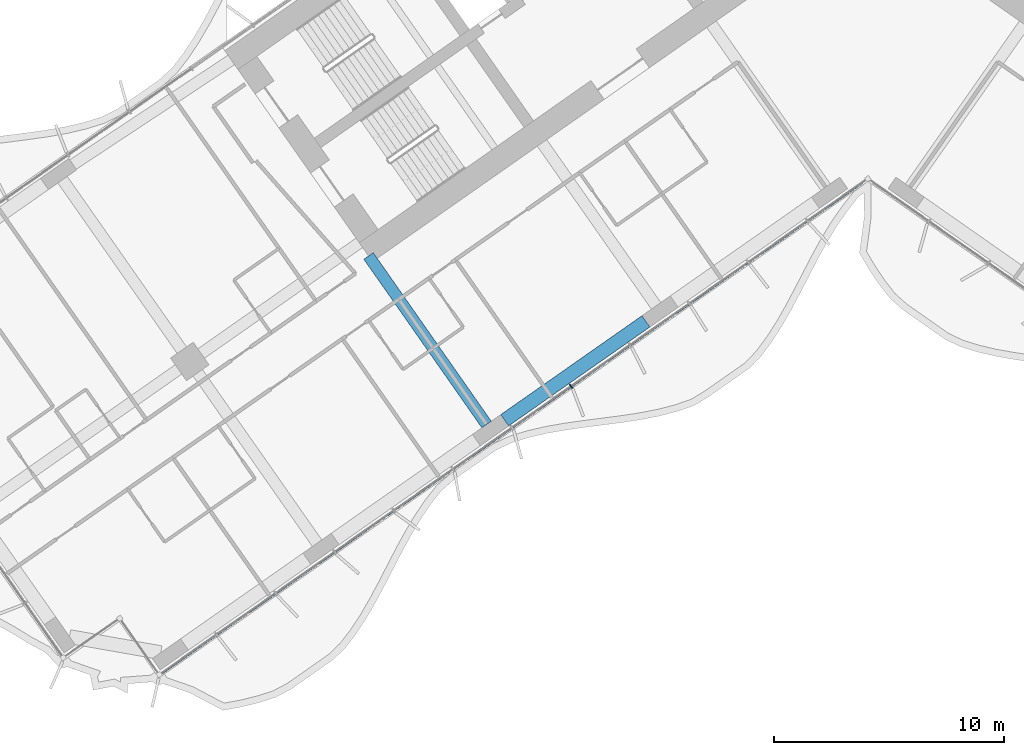
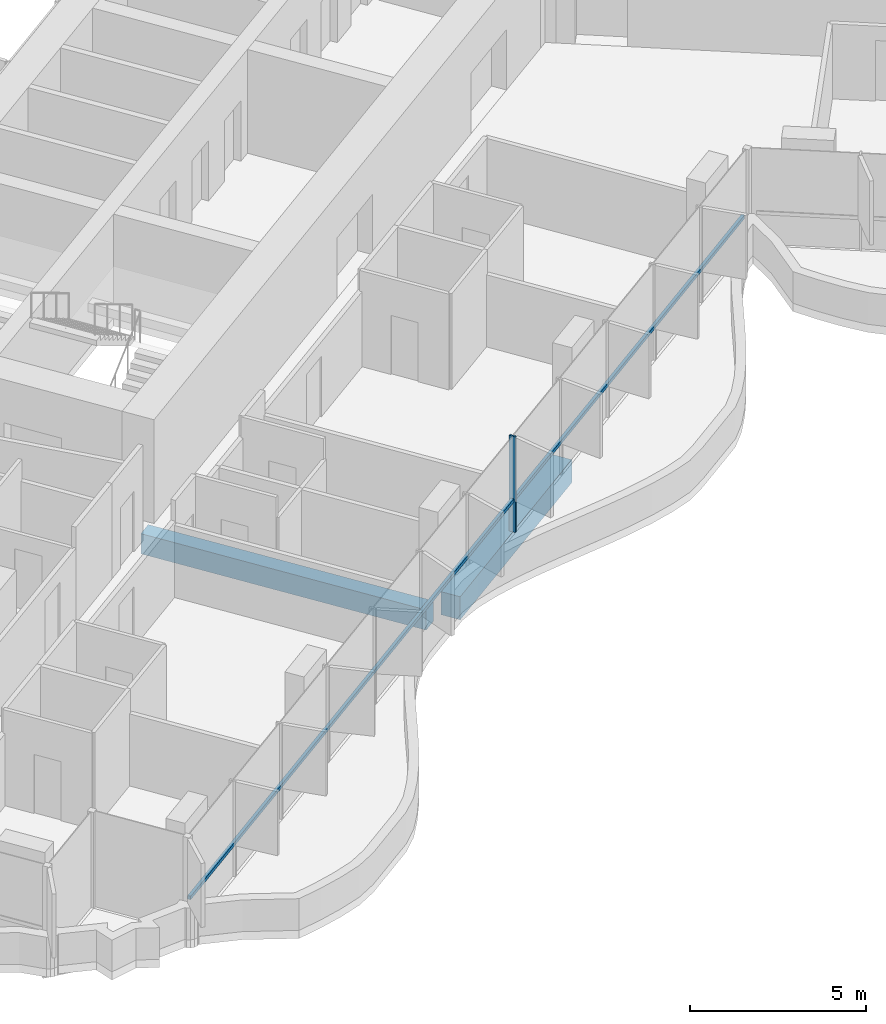
# One storey, part 3 of 23: 2 beams, 2 members, 1 element without a shape of its own.
"""IFC4 building model written with IfcOpenShell, lengths in metres."""

from ifc_helpers import new_model, si_unit, direction, frame, origin, origin_2d, place, context, subcontext, project, spatial, rectangle, extrude, material, material_profile, profile_set, type_object, element, aggregate, save


model = new_model("IFC4")

# Units and contexts
model_context = context("Model", 3, precision=1e-05, world=origin(), true_north=direction((0.0, 1.0)))
body_context = subcontext(model_context, "Body", "Model", "MODEL_VIEW")
ifc_project = project(units=[si_unit("LENGTHUNIT", "METRE"), si_unit("AREAUNIT", "SQUARE_METRE"), si_unit("VOLUMEUNIT", "CUBIC_METRE"), si_unit("PLANEANGLEUNIT", "RADIAN"), si_unit("MASSUNIT", "GRAM", prefix="KILO")], contexts=[model_context])

# Site, building, storey
site_placement = place(None, origin())
site = spatial("IfcSite", under=ifc_project, at=site_placement, CompositionType="ELEMENT")
building_placement = place(site_placement, origin())
building = spatial("IfcBuilding", under=site, at=building_placement, Name="Tel Ilan Convention Tower", CompositionType="ELEMENT")
storey_placement = place(building_placement, frame((0.0, 0.0, 83.300048828125)))
storey = spatial("IfcBuildingStorey", under=building, at=storey_placement, Name="L16", CompositionType="ELEMENT", Elevation=83.300048828125)

# Beams
ifc_material_1 = material(Name="Concrete C40/50", Category="concrete")
ifc_material_profile_1 = material_profile(ifc_material_1, rectangle(XDim=0.5, YDim=0.699951171875, at=origin_2d()), Name="RC 500x700")
ifc_profile_set_1 = profile_set([ifc_material_profile_1], Name="Concrete C40/50")
beam_type_1 = type_object("IfcBeamType", Name="Beam RC 500x700 Concrete C40/50", PredefinedType="BEAM", material=ifc_profile_set_1)
beam_1_placement = place(storey_placement, frame((-16.58203125, -23.391357421875, -0.630126953125), z_axis=(-0.573584999642, 0.819146048141, 0.0), x_axis=(-0.819146048141, -0.573584999642, 0.0)))
element("IfcBeam", 1, at=beam_1_placement, inside=storey, type_object=beam_type_1, Name="L16 beam W-W-F3-core", PredefinedType="BEAM", context=body_context, shape_type="SweptSolid", body=[
    extrude(rectangle(XDim=0.5, YDim=0.699951171875, at=origin_2d()), origin(), (0.0, 0.0, 1.0), 8.949951171875),
])
ifc_material_2 = material(Name="Concrete C40/50", Category="concrete")
ifc_material_profile_2 = material_profile(ifc_material_2, rectangle(XDim=0.60009765625, YDim=0.800048828125, at=origin_2d()), Name="RC 600x800")
ifc_profile_set_2 = profile_set([ifc_material_profile_2], Name="Concrete C40/50")
beam_type_2 = type_object("IfcBeamType", Name="Beam RC 600x800 Concrete C40/50", PredefinedType="BEAM", material=ifc_profile_set_2)
beam_2_placement = place(storey_placement, frame((-9.652099609375, -18.905029296875, -0.679931640625), z_axis=(-0.81915238829, -0.573575945067, 0.0), x_axis=(0.573575945067, -0.81915238829, 0.0)))
element("IfcBeam", 2, at=beam_2_placement, inside=storey, type_object=beam_type_2, Name="L16 beam W-W-F2-W-F3", PredefinedType="BEAM", context=body_context, shape_type="SweptSolid", body=[
    extrude(rectangle(XDim=0.60009765625, YDim=0.800048828125, at=origin_2d()), origin(), (0.0, 0.0, 1.0), 7.5),
])

# Curtain wall, members
ifc_material_3 = material(Name="Aluminium, bronze anodised", Category="aluminium")
curtain_wall_type = type_object("IfcCurtainWallType", Name="CW1 UNITISED CURTAIN WALL, HOTEL TINTED GLASS", PredefinedType="NOTDEFINED", material=ifc_material_3)
curtain_wall_placement = place(storey_placement, origin())
curtain_wall = element("IfcCurtainWall", 3, at=curtain_wall_placement, inside=storey, type_object=curtain_wall_type, Name="Curtain wall CW1-15.02", PredefinedType="NOTDEFINED")
ifc_material_4 = material(Name="Aluminium, bronze anodised", Category="aluminium")
ifc_material_profile_3 = material_profile(ifc_material_4, rectangle(XDim=0.06005859375, YDim=0.199951171875, at=origin_2d()), Name="CW MULLION 60x200")
ifc_profile_set_3 = profile_set([ifc_material_profile_3], Name="Aluminium, bronze anodised")
member_type_1 = type_object("IfcMemberType", Name="CW MULLION 60x200", PredefinedType="MULLION", material=ifc_profile_set_3)
member_1_placement = place(storey_placement, frame((-12.906982421875, -21.733642578125, 0.0), z_axis=(0.0, 0.0, 1.0), x_axis=(0.819152044289, 0.573576436351, 0.0)))
member_1 = element("IfcMember", 4, at=member_1_placement, type_object=member_type_1, Name="Mullion", PredefinedType="MULLION", context=body_context, shape_type="SweptSolid", body=[
    extrude(rectangle(XDim=0.06005859375, YDim=0.199951171875, at=origin_2d()), origin(), (0.0, 0.0, 1.0), 3.320068359375),
])
ifc_material_5 = material(Name="Aluminium, bronze anodised", Category="aluminium")
ifc_material_profile_4 = material_profile(ifc_material_5, rectangle(XDim=0.10009765625, YDim=0.1201171875, at=origin_2d()), Name="CW TRANSOM 100x120")
ifc_profile_set_4 = profile_set([ifc_material_profile_4], Name="Aluminium, bronze anodised")
member_type_2 = type_object("IfcMemberType", Name="CW TRANSOM 100x120", PredefinedType="USERDEFINED", material=ifc_profile_set_4)
member_2_placement = place(storey_placement, frame((-30.73291015625, -34.21533203125, 1.099853515625), z_axis=(0.819152467103, 0.57357583251, 0.0), x_axis=(-0.57357583251, 0.819152467103, 0.0)))
member_2 = element("IfcMember", 5, at=member_2_placement, type_object=member_type_2, Name="Transom", ObjectType="TRANSOM", PredefinedType="USERDEFINED", context=body_context, shape_type="SweptSolid", body=[
    extrude(rectangle(XDim=0.10009765625, YDim=0.1201171875, at=origin_2d()), origin(), (0.0, 0.0, 1.0), 37.247802734375),
])
aggregate(curtain_wall, [member_1, member_2])

save(model, "model.ifc")
